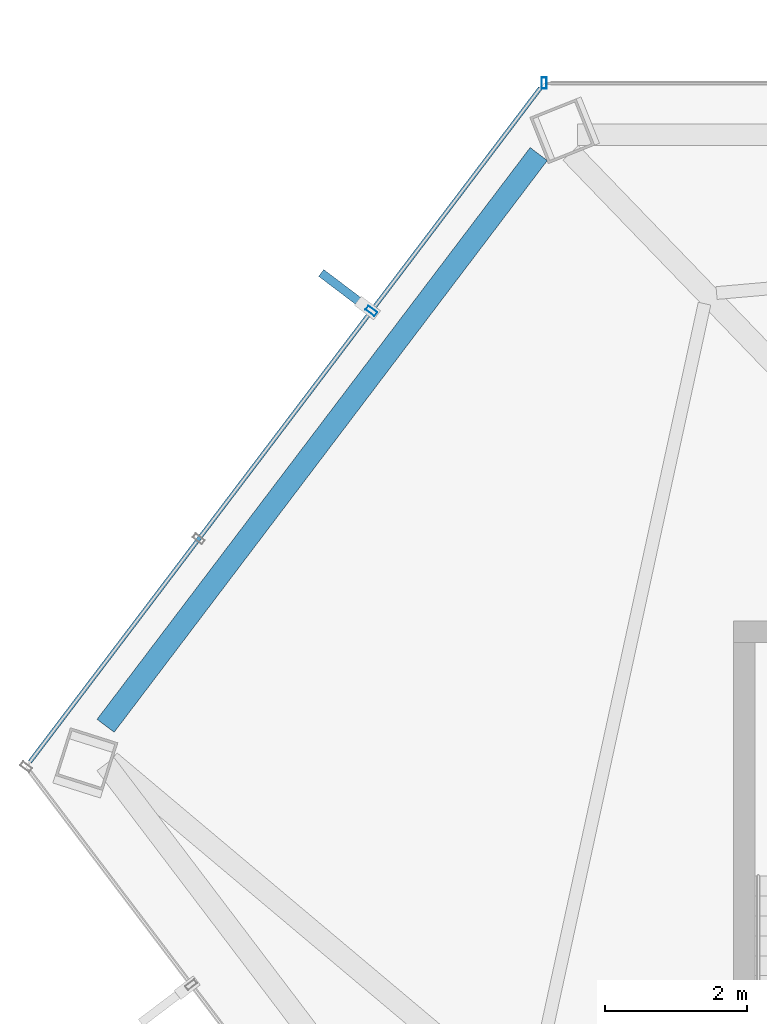
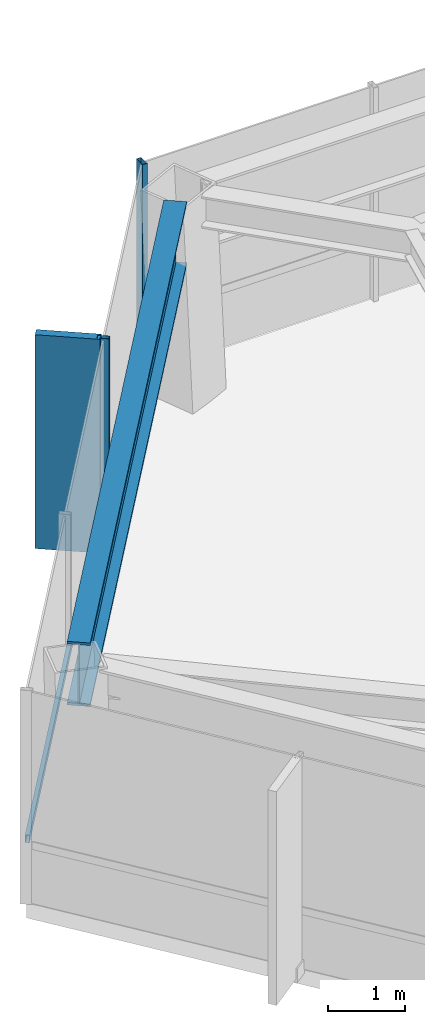
# One storey, part 10 of 28: 4 members, 1 beam, 2 elements without a shape of their own.
"""IFC4 building model written with IfcOpenShell, lengths in metres."""

from ifc_helpers import new_model, si_unit, direction, frame, origin, origin_2d, place, context, subcontext, project, spatial, rectangle, hollow_rectangle, i_section, extrude, material, layer, layer_set, material_profile, profile_set, type_object, element, aggregate, save


model = new_model("IFC4")

# Units and contexts
model_context = context("Model", 3, precision=1e-05, world=origin(), true_north=direction((0.0, 1.0)))
body_context = subcontext(model_context, "Body", "Model", "MODEL_VIEW")
ifc_project = project(units=[si_unit("LENGTHUNIT", "METRE"), si_unit("AREAUNIT", "SQUARE_METRE"), si_unit("VOLUMEUNIT", "CUBIC_METRE"), si_unit("PLANEANGLEUNIT", "RADIAN"), si_unit("MASSUNIT", "GRAM", prefix="KILO")], contexts=[model_context])

# Site, building, storey
site_placement = place(None, origin())
site = spatial("IfcSite", under=ifc_project, at=site_placement, CompositionType="ELEMENT")
building_placement = place(site_placement, origin())
building = spatial("IfcBuilding", under=site, at=building_placement, Name="Zarrinselat Tower", CompositionType="ELEMENT")
storey_placement = place(building_placement, frame((0.0, 0.0, 190.739990234375)))
storey = spatial("IfcBuildingStorey", under=building, at=storey_placement, Name="L47", CompositionType="ELEMENT", Elevation=190.739990234375)

# Beam
ifc_material_1 = material(Name="Steel S460M", Category="steel")
ifc_material_profile_1 = material_profile(ifc_material_1, i_section(OverallWidth=0.302001953125, OverallDepth=1.008056640625, WebThickness=0.02099609375, FlangeThickness=0.0400390625, at=origin_2d()), Name="HEM 1000")
ifc_profile_set_1 = profile_set([ifc_material_profile_1], Name="Steel S460M")
beam_type = type_object("IfcBeamType", Name="BM-HEM1000", PredefinedType="BEAM", material=ifc_profile_set_1)
beam_placement = place(storey_placement, frame((16.263916015625, 39.57958984375, 2.885986328125), z_axis=(0.603863287871, 0.797087905793, 0.0), x_axis=(-0.797087905793, 0.603863287871, 0.0)))
element("IfcBeam", 1, at=beam_placement, inside=storey, type_object=beam_type, Name="L47 Perimeter Spandrel Girder SP05", PredefinedType="BEAM", context=body_context, shape_type="SweptSolid", body=[
    extrude(i_section(OverallWidth=0.302001953125, OverallDepth=1.008056640625, WebThickness=0.02099609375, FlangeThickness=0.0400390625, at=origin_2d()), origin(), (0.0, 0.0, 1.0), 10.07275390625),
])

# Curtain wall, member
ifc_material_2 = material(Name="Extruded Aluminium Alloy EN AW-6063 T6", Category="aluminium")
ifc_layer = layer(ifc_material_2, 0.175048828125)
ifc_layer_set = layer_set([ifc_layer], Name="Extruded Aluminium Alloy EN AW-6063 T6")
curtain_wall_type = type_object("IfcCurtainWallType", Name="CWS-HTL", PredefinedType="NOTDEFINED", material=ifc_layer_set)
curtain_wall_1_placement = place(storey_placement, origin())
curtain_wall_1 = element("IfcCurtainWall", 2, at=curtain_wall_1_placement, inside=storey, type_object=curtain_wall_type, Name="L47 Unitised Curtain Wall CW-L47-E01", PredefinedType="NOTDEFINED")
ifc_material_3 = material(Name="Extruded Aluminium Alloy EN AW-6063 T6", Category="aluminium")
ifc_material_profile_2 = material_profile(ifc_material_3, hollow_rectangle(XDim=0.070068359375, YDim=0.159912109375, WallThickness=0.00390625, at=origin_2d()), Name="RHS 160x70x4")
ifc_profile_set_2 = profile_set([ifc_material_profile_2], Name="Extruded Aluminium Alloy EN AW-6063 T6")
member_type_1 = type_object("IfcMemberType", Name="MEM-CW-MUL2", PredefinedType="MULLION", material=ifc_profile_set_2)
member_1_placement = place(storey_placement, frame((22.421630859375, 48.605712890625, 0.0), z_axis=(0.0, 0.0, 1.0), x_axis=(-1.0, 0.0, 0.0)))
member_1 = element("IfcMember", 3, at=member_1_placement, type_object=member_type_1, Name="CW-L47-E01 Mullion 11", PredefinedType="MULLION", context=body_context, shape_type="SweptSolid", body=[
    extrude(hollow_rectangle(XDim=0.070068359375, YDim=0.159912109375, WallThickness=0.00390625, at=origin_2d()), origin(), (0.0, 0.0, 1.0), 3.389892578125),
])
aggregate(curtain_wall_1, [member_1])

# Curtain wall, members
curtain_wall_2_placement = place(storey_placement, origin())
curtain_wall_2 = element("IfcCurtainWall", 4, at=curtain_wall_2_placement, inside=storey, type_object=curtain_wall_type, Name="L47 Unitised Curtain Wall CW-L47-E02", PredefinedType="NOTDEFINED")
member_2_placement = place(storey_placement, frame((19.996826171875, 45.40478515625, 0.0), z_axis=(0.0, 0.0, 1.0), x_axis=(-0.603853852413, -0.797095053884, 0.0)))
member_2 = element("IfcMember", 5, at=member_2_placement, type_object=member_type_1, Name="CW-L47-E02 Mullion 1", PredefinedType="MULLION", context=body_context, shape_type="SweptSolid", body=[
    extrude(hollow_rectangle(XDim=0.070068359375, YDim=0.159912109375, WallThickness=0.00390625, at=origin_2d()), origin(), (0.0, 0.0, 1.0), 3.389892578125),
])
ifc_material_4 = material(Name="Extruded Aluminium Alloy EN AW-6063 T6", Category="aluminium")
ifc_material_profile_3 = material_profile(ifc_material_4, hollow_rectangle(XDim=0.06005859375, YDim=0.1201171875, WallThickness=0.00390625, at=origin_2d()), Name="RHS 120x60x4")
ifc_profile_set_3 = profile_set([ifc_material_profile_3], Name="Extruded Aluminium Alloy EN AW-6063 T6")
member_type_2 = type_object("IfcMemberType", Name="MEM-CW-TRN2", PredefinedType="USERDEFINED", material=ifc_profile_set_3)
member_3_placement = place(storey_placement, frame((22.367431640625, 48.533935546875, 0.949951171875), z_axis=(-0.60385412315, -0.797094848782, 0.0), x_axis=(0.797094848782, -0.60385412315, 0.0)))
member_3 = element("IfcMember", 6, at=member_3_placement, type_object=member_type_2, Name="CW-L47-E02 Transom 1", ObjectType="TRANSOM", PredefinedType="USERDEFINED", context=body_context, shape_type="SweptSolid", body=[
    extrude(hollow_rectangle(XDim=0.06005859375, YDim=0.1201171875, WallThickness=0.00390625, at=origin_2d()), origin(), (0.0, 0.0, 1.0), 11.8671875),
])
ifc_material_5 = material(Name="Honed Cream Travertine Stone", Category="masonry")
ifc_material_profile_4 = material_profile(ifc_material_5, rectangle(XDim=0.1201171875, YDim=0.85009765625, at=origin_2d()), Name="FIN 850x120")
ifc_profile_set_4 = profile_set([ifc_material_profile_4], Name="Honed Cream Travertine Stone")
member_type_3 = type_object("IfcMemberType", Name="MEM-STONE-FIN", PredefinedType="USERDEFINED", material=ifc_profile_set_4)
member_4_placement = place(storey_placement, frame((19.630126953125, 45.6826171875, 0.0), z_axis=(0.0, 0.0, 1.0), x_axis=(0.603853852413, 0.797095053884, 0.0)))
member_4 = element("IfcMember", 7, at=member_4_placement, type_object=member_type_3, Name="L47 Stone Shading Fin CW-L47-E02-01", ObjectType="FIN", PredefinedType="USERDEFINED", context=body_context, shape_type="SweptSolid", body=[
    extrude(rectangle(XDim=0.1201171875, YDim=0.85009765625, at=origin_2d()), origin(), (0.0, 0.0, 1.0), 3.389892578125),
])
aggregate(curtain_wall_2, [member_2, member_4, member_3])

save(model, "model.ifc")
